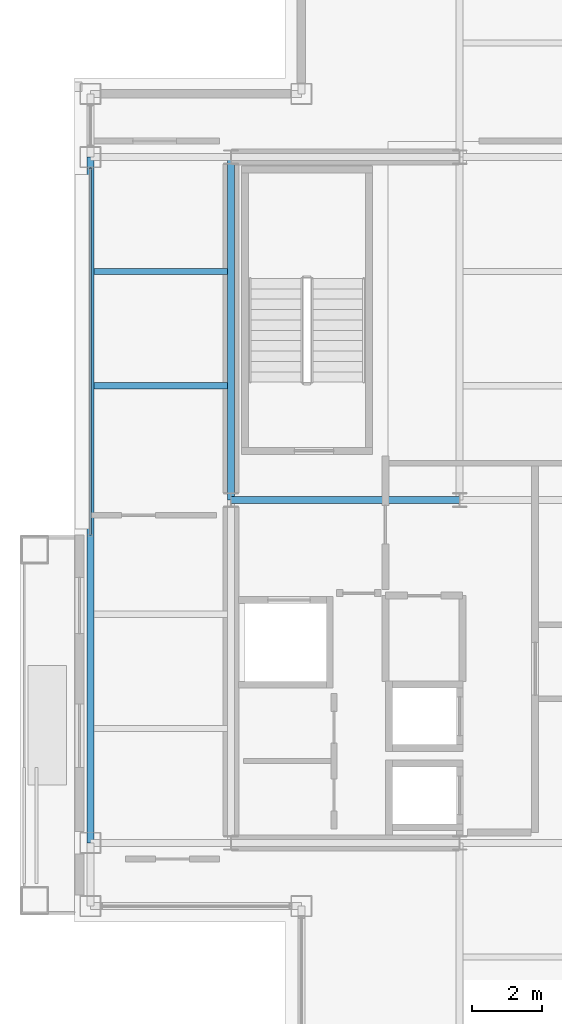
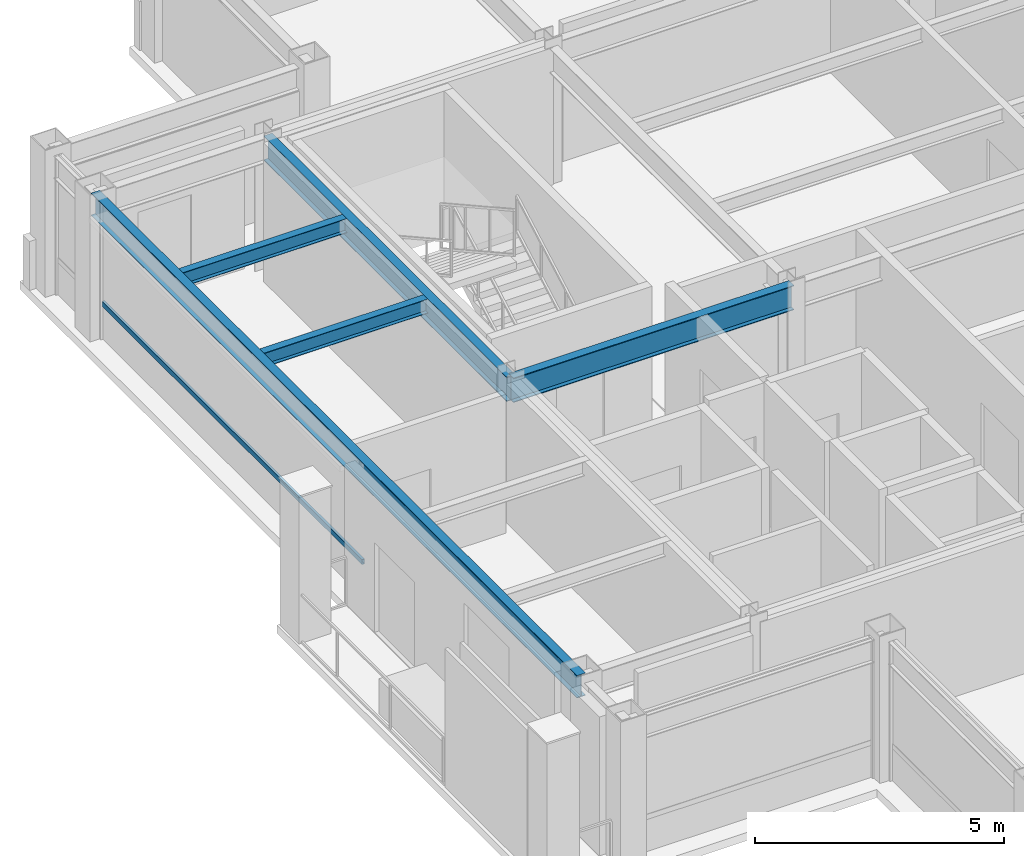
# One storey, part 10 of 24: 5 beams, 1 member, 1 element without a shape of its own.
"""IFC4 building model written with IfcOpenShell, lengths in metres."""

from ifc_helpers import new_model, si_unit, direction, frame, origin, origin_2d, place, context, subcontext, project, spatial, hollow_rectangle, i_section, extrude, material, layer, layer_set, material_profile, profile_set, type_object, element, aggregate, save


model = new_model("IFC4")

# Units and contexts
model_context = context("Model", 3, precision=1e-05, world=origin(), true_north=direction((0.0, 1.0)))
body_context = subcontext(model_context, "Body", "Model", "MODEL_VIEW")
ifc_project = project(units=[si_unit("LENGTHUNIT", "METRE"), si_unit("AREAUNIT", "SQUARE_METRE"), si_unit("VOLUMEUNIT", "CUBIC_METRE"), si_unit("PLANEANGLEUNIT", "RADIAN"), si_unit("MASSUNIT", "GRAM", prefix="KILO")], contexts=[model_context])

# Site, building, storey
site_placement = place(None, origin())
site = spatial("IfcSite", under=ifc_project, at=site_placement, CompositionType="ELEMENT")
building_placement = place(site_placement, origin())
building = spatial("IfcBuilding", under=site, at=building_placement, Name="Brelmoor Portico Tower", CompositionType="ELEMENT")
storey_placement = place(building_placement, frame((0.0, 0.0, 254.39990234375)))
storey = spatial("IfcBuildingStorey", under=building, at=storey_placement, Name="L67", CompositionType="ELEMENT", Elevation=254.39990234375)

# Beams
ifc_material_1 = material(Name="Steel Q355B", Category="steel")
ifc_material_profile_1 = material_profile(ifc_material_1, i_section(OverallWidth=0.175048828125, OverallDepth=0.35009765625, WebThickness=0.007080078125, FlangeThickness=0.010986328125, at=origin_2d()), Name="HN 350x175x7x11")
ifc_profile_set_1 = profile_set([ifc_material_profile_1], Name="Steel Q355B")
beam_type_1 = type_object("IfcBeamType", Name="BM-JS-350", PredefinedType="JOIST", material=ifc_profile_set_1)
for number, where, z_axis, x_axis, name in (
    (1, (-18.449951171875, 3.25, 3.22509765625), (1.0, 0.0, 0.0), (0.0, 1.0, 0.0), "L67 Secondary Wing Joist JS-W09"),
    (2, (-18.449951171875, 6.5, 3.22509765625), (1.0, 0.0, 0.0), (0.0, 1.0, 0.0), "L67 Secondary Wing Joist JS-W10"),
):
    element("IfcBeam", number, at=place(storey_placement, frame(where, z_axis=z_axis, x_axis=x_axis)), inside=storey, type_object=beam_type_1, Name=name, PredefinedType="JOIST", context=body_context, shape_type="SweptSolid", body=[
        extrude(i_section(OverallWidth=0.175048828125, OverallDepth=0.35009765625, WebThickness=0.007080078125, FlangeThickness=0.010986328125, at=origin_2d()), origin(), (0.0, 0.0, 1.0), 3.800048828125),
    ])
ifc_material_profile_2 = material_profile(ifc_material_1, i_section(OverallWidth=0.199951171875, OverallDepth=0.60009765625, WebThickness=0.010986328125, FlangeThickness=0.01708984375, at=origin_2d()), Name="HN 600x200x11x17")
ifc_profile_set_2 = profile_set([ifc_material_profile_2], Name="Steel Q355B")
beam_type_2 = type_object("IfcBeamType", Name="BM-PG-600", PredefinedType="BEAM", material=ifc_profile_set_2)
beam_1_placement = place(storey_placement, frame((-14.550048828125, 0.0, 3.10009765625), z_axis=(0.0, 1.0, 0.0), x_axis=(-1.0, 0.0, 0.0)))
element("IfcBeam", 3, at=beam_1_placement, inside=storey, type_object=beam_type_2, Name="L67 Primary Floor Girder PG-02", PredefinedType="BEAM", context=body_context, shape_type="SweptSolid", body=[
    extrude(i_section(OverallWidth=0.199951171875, OverallDepth=0.60009765625, WebThickness=0.010986328125, FlangeThickness=0.01708984375, at=origin_2d()), origin(), (0.0, 0.0, 1.0), 9.75),
])
beam_2_placement = place(storey_placement, frame((-14.550048828125, 0.0, 3.10009765625), z_axis=(1.0, 0.0, 0.0), x_axis=(0.0, 1.0, 0.0)))
element("IfcBeam", 4, at=beam_2_placement, inside=storey, type_object=beam_type_2, Name="L67 Primary Floor Girder PG-16", PredefinedType="BEAM", context=body_context, shape_type="SweptSolid", body=[
    extrude(i_section(OverallWidth=0.199951171875, OverallDepth=0.60009765625, WebThickness=0.010986328125, FlangeThickness=0.01708984375, at=origin_2d()), origin(), (0.0, 0.0, 1.0), 6.5),
])
ifc_material_profile_3 = material_profile(ifc_material_1, i_section(OverallWidth=0.199951171875, OverallDepth=0.550048828125, WebThickness=0.010009765625, FlangeThickness=0.01611328125, at=origin_2d()), Name="HN 550x200x10x16")
ifc_profile_set_3 = profile_set([ifc_material_profile_3], Name="Steel Q355B")
beam_type_3 = type_object("IfcBeamType", Name="BM-SP-550", PredefinedType="SPANDREL", material=ifc_profile_set_3)
beam_3_placement = place(storey_placement, frame((-18.550048828125, -9.75, 3.125), z_axis=(0.0, 1.0, 0.0), x_axis=(-1.0, 0.0, 0.0)))
element("IfcBeam", 5, at=beam_3_placement, inside=storey, type_object=beam_type_3, Name="L67 Perimeter Spandrel Beam SP-12", PredefinedType="SPANDREL", context=body_context, shape_type="SweptSolid", body=[
    extrude(i_section(OverallWidth=0.199951171875, OverallDepth=0.550048828125, WebThickness=0.010009765625, FlangeThickness=0.01611328125, at=origin_2d()), origin(), (0.0, 0.0, 1.0), 19.5),
])

# Curtain wall, member
ifc_material_2 = material(Name="Anodised Aluminium Alloy 6063-T6", Category="aluminium")
ifc_layer = layer(ifc_material_2, 0.179931640625)
ifc_layer_set = layer_set([ifc_layer], Name="Anodised Aluminium Alloy 6063-T6")
curtain_wall_type = type_object("IfcCurtainWallType", Name="CW-TOWER-Z4", PredefinedType="NOTDEFINED", material=ifc_layer_set)
curtain_wall_placement = place(storey_placement, origin())
curtain_wall = element("IfcCurtainWall", 6, at=curtain_wall_placement, inside=storey, type_object=curtain_wall_type, Name="L67 Curtain Wall CW-L67-3R-1", PredefinedType="NOTDEFINED")
ifc_material_profile_4 = material_profile(ifc_material_2, hollow_rectangle(XDim=0.06005859375, YDim=0.125, WallThickness=0.00341796875, at=origin_2d()), Name="ALU TRANSOM 60x125")
ifc_profile_set_4 = profile_set([ifc_material_profile_4], Name="Anodised Aluminium Alloy 6063-T6")
member_type = type_object("IfcMemberType", Name="MB-CW-TRAN-125", PredefinedType="USERDEFINED", material=ifc_profile_set_4)
member_placement = place(storey_placement, frame((-18.550048828125, -1.0, 0.85009765625), z_axis=(0.0, 1.0, 0.0), x_axis=(-1.0, 0.0, 0.0)))
member = element("IfcMember", 7, at=member_placement, type_object=member_type, Name="CW-L67-3R-1 Transom 1-00", ObjectType="TRANSOM", PredefinedType="USERDEFINED", context=body_context, shape_type="SweptSolid", body=[
    extrude(hollow_rectangle(XDim=0.06005859375, YDim=0.125, WallThickness=0.00341796875, at=origin_2d()), origin(), (0.0, 0.0, 1.0), 10.43994140625),
])
aggregate(curtain_wall, [member])

save(model, "model.ifc")
